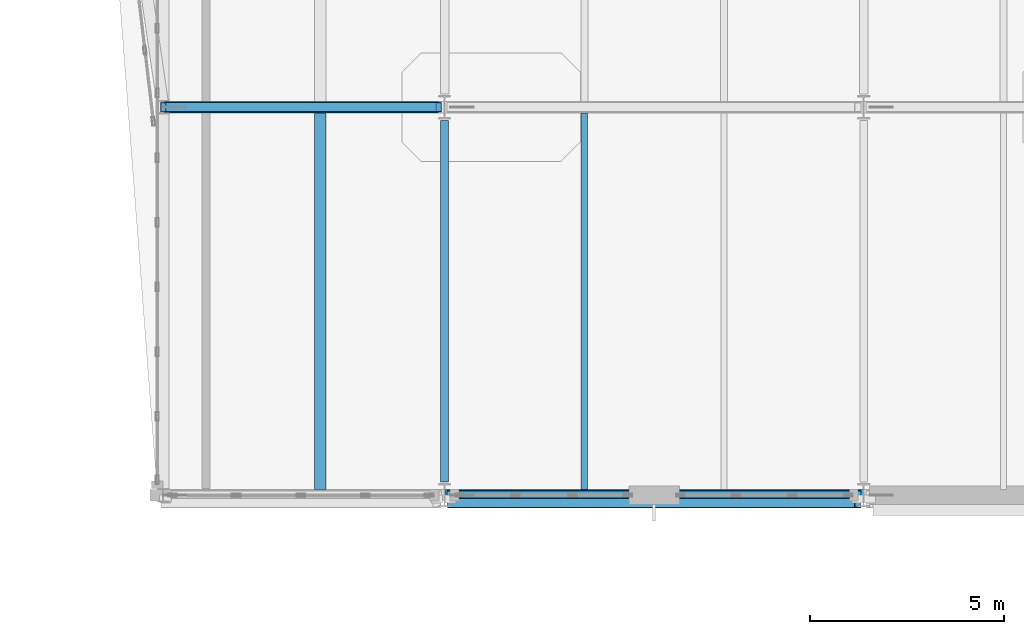
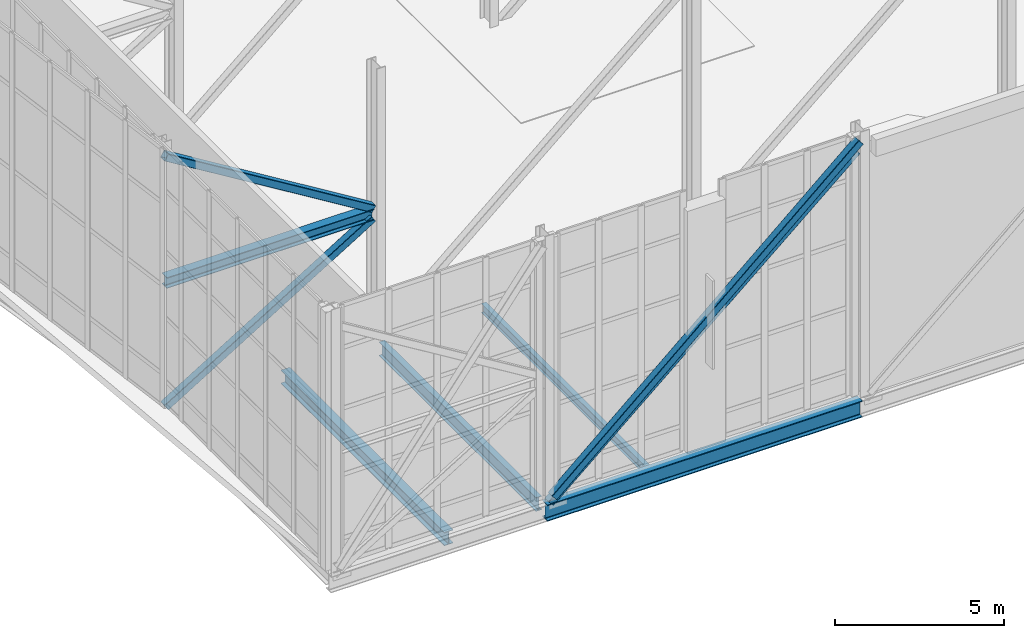
# One storey, part 14 of 100: 5 beams, 4 members.
"""IFC4 building model written with IfcOpenShell, lengths in metres."""

from ifc_helpers import new_model, si_unit, direction, frame, origin, origin_2d, place, context, subcontext, project, spatial, hollow_rectangle, i_section, extrude, material, material_profile, profile_set, type_object, element, save


model = new_model("IFC4")

# Units and contexts
model_context = context("Model", 3, precision=1e-05, world=origin(), true_north=direction((0.0, 1.0)))
body_context = subcontext(model_context, "Body", "Model", "MODEL_VIEW")
ifc_project = project(units=[si_unit("LENGTHUNIT", "METRE"), si_unit("AREAUNIT", "SQUARE_METRE"), si_unit("VOLUMEUNIT", "CUBIC_METRE"), si_unit("PLANEANGLEUNIT", "RADIAN"), si_unit("MASSUNIT", "GRAM", prefix="KILO")], contexts=[model_context])

# Site, building, storey
site_placement = place(None, origin())
site = spatial("IfcSite", under=ifc_project, at=site_placement, CompositionType="ELEMENT")
building_placement = place(site_placement, origin())
building = spatial("IfcBuilding", under=site, at=building_placement, Name="Tasgan Crest Museum", CompositionType="ELEMENT")
storey_placement = place(building_placement, frame((0.0, 0.0, 14.39990234375)))
storey = spatial("IfcBuildingStorey", under=building, at=storey_placement, Name="L03", CompositionType="ELEMENT", Elevation=14.39990234375)

# Beams
ifc_material_1 = material(Name="Steel S355K2", Category="steel")
ifc_material_profile_1 = material_profile(ifc_material_1, i_section(OverallWidth=0.300048828125, OverallDepth=0.60009765625, WebThickness=0.015380859375, FlangeThickness=0.030029296875, FilletRadius=0.027099609375, at=origin_2d()), Name="HEB 600")
ifc_profile_set_1 = profile_set([ifc_material_profile_1], Name="Steel S355K2")
beam_type_1 = type_object("IfcBeamType", Name="BM-CANT-G1", PredefinedType="BEAM", material=ifc_profile_set_1)
beam_1_placement = place(storey_placement, frame((10.806396484375, 40.0, -0.559814453125), z_axis=(1.0, 0.0, 0.0), x_axis=(0.0, 1.0, 0.0)))
element("IfcBeam", 1, at=beam_1_placement, inside=storey, type_object=beam_type_1, Name="Transfer back-span girder 1 MID E", PredefinedType="BEAM", context=body_context, shape_type="SweptSolid", body=[
    extrude(i_section(OverallWidth=0.300048828125, OverallDepth=0.60009765625, WebThickness=0.015380859375, FlangeThickness=0.030029296875, FilletRadius=0.027099609375, at=origin_2d()), origin(), (0.0, 0.0, 1.0), 10.787109375),
])
ifc_material_2 = material(Name="Steel S355J2", Category="steel")
ifc_material_profile_2 = material_profile(ifc_material_2, i_section(OverallWidth=0.300048828125, OverallDepth=0.389892578125, WebThickness=0.010986328125, FlangeThickness=0.01904296875, FilletRadius=0.027099609375, at=origin_2d()), Name="HEA 400")
ifc_profile_set_2 = profile_set([ifc_material_profile_2], Name="Steel S355J2")
beam_type_2 = type_object("IfcBeamType", Name="BM-G-HEA400", PredefinedType="BEAM", material=ifc_profile_set_2)
beam_2_placement = place(storey_placement, frame((3.550048828125, 50.0, 4.25), z_axis=(1.0, 0.0, 0.0), x_axis=(0.0, 1.0, 0.0)))
element("IfcBeam", 2, at=beam_2_placement, inside=storey, type_object=beam_type_2, Name="Cantilever mid-height chord F", PredefinedType="BEAM", context=body_context, shape_type="SweptSolid", body=[
    extrude(i_section(OverallWidth=0.300048828125, OverallDepth=0.389892578125, WebThickness=0.010986328125, FlangeThickness=0.01904296875, FilletRadius=0.027099609375, at=origin_2d()), origin(), (0.0, 0.0, 1.0), 7.099853515625),
])
ifc_material_3 = material(Name="Steel S355J2", Category="steel")
ifc_material_profile_3 = material_profile(ifc_material_3, i_section(OverallWidth=0.300048828125, OverallDepth=0.489990234375, WebThickness=0.011962890625, FlangeThickness=0.02294921875, FilletRadius=0.027099609375, at=origin_2d()), Name="HEA 500")
ifc_profile_set_3 = profile_set([ifc_material_profile_3], Name="Steel S355J2")
beam_type_3 = type_object("IfcBeamType", Name="BM-G-HEA500", PredefinedType="BEAM", material=ifc_profile_set_3)
beam_3_placement = place(storey_placement, frame((7.60009765625, 40.14990234375, -0.5048828125), z_axis=(0.0, 1.0, 0.0), x_axis=(-1.0, 0.0, 0.0)))
element("IfcBeam", 3, at=beam_3_placement, inside=storey, type_object=beam_type_3, Name="Cantilever edge beam L03 MID 40-50", PredefinedType="BEAM", context=body_context, shape_type="SweptSolid", body=[
    extrude(i_section(OverallWidth=0.300048828125, OverallDepth=0.489990234375, WebThickness=0.011962890625, FlangeThickness=0.02294921875, FilletRadius=0.027099609375, at=origin_2d()), origin(), (0.0, 0.0, 1.0), 9.7001953125),
])
ifc_material_4 = material(Name="Steel S355J2", Category="steel")
ifc_material_profile_4 = material_profile(ifc_material_4, i_section(OverallWidth=0.199951171875, OverallDepth=0.5, WebThickness=0.01025390625, FlangeThickness=0.01611328125, FilletRadius=0.02099609375, at=origin_2d()), Name="IPE 500")
ifc_profile_set_4 = profile_set([ifc_material_profile_4], Name="Steel S355J2")
beam_type_4 = type_object("IfcBeamType", Name="BM-G-IPE500", PredefinedType="BEAM", material=ifc_profile_set_4)
beam_4_placement = place(storey_placement, frame((10.800048828125, 40.344970703125, -0.510009765625), z_axis=(0.0, 1.0, 0.0), x_axis=(-1.0, 0.0, 0.0)))
element("IfcBeam", 4, at=beam_4_placement, inside=storey, type_object=beam_type_4, Name="Beam L03 2 40.0-50.0", PredefinedType="BEAM", context=body_context, shape_type="SweptSolid", body=[
    extrude(i_section(OverallWidth=0.199951171875, OverallDepth=0.5, WebThickness=0.01025390625, FlangeThickness=0.01611328125, FilletRadius=0.02099609375, at=origin_2d()), origin(), (0.0, 0.0, 1.0), 9.31005859375),
])
ifc_material_5 = material(Name="Steel S355J2", Category="steel")
ifc_material_profile_5 = material_profile(ifc_material_5, i_section(OverallWidth=0.159912109375, OverallDepth=0.330078125, WebThickness=0.007568359375, FlangeThickness=0.011474609375, FilletRadius=0.01806640625, at=origin_2d()), Name="IPE 330")
ifc_profile_set_5 = profile_set([ifc_material_profile_5], Name="Steel S355J2")
beam_type_5 = type_object("IfcBeamType", Name="BM-J-IPE330", PredefinedType="JOIST", material=ifc_profile_set_5)
beam_5_placement = place(storey_placement, frame((14.39990234375, 40.14501953125, -0.4248046875), z_axis=(0.0, 1.0, 0.0), x_axis=(-1.0, 0.0, 0.0)))
element("IfcBeam", 5, at=beam_5_placement, inside=storey, type_object=beam_type_5, Name="Secondary joist L03 X=14.4 Y=40.0-50.0", PredefinedType="JOIST", context=body_context, shape_type="SweptSolid", body=[
    extrude(i_section(OverallWidth=0.159912109375, OverallDepth=0.330078125, WebThickness=0.007568359375, FlangeThickness=0.011474609375, FilletRadius=0.01806640625, at=origin_2d()), origin(), (0.0, 0.0, 1.0), 9.7099609375),
])

# Members
ifc_material_6 = material(Name="Steel S355K2", Category="steel")
ifc_material_profile_6 = material_profile(ifc_material_6, hollow_rectangle(XDim=0.260009765625, YDim=0.260009765625, WallThickness=0.01416015625, InnerFilletRadius=0.01416015625, OuterFilletRadius=0.0283203125, at=origin_2d()), Name="SHS 260x260x14.2")
ifc_profile_set_6 = profile_set([ifc_material_profile_6], Name="Steel S355K2")
member_type = type_object("IfcMemberType", Name="TR-CANT-DIAG", PredefinedType="BRACE", material=ifc_profile_set_6)
member_1_placement = place(storey_placement, frame((10.949951171875, 40.0, -0.27978515625), z_axis=(0.757121387748, 0.0, 0.653274218237), x_axis=(0.0, 1.0, 0.0)))
element("IfcMember", 6, at=member_1_placement, inside=storey, type_object=member_type, Name="Transfer truss diagonal L03 E-2", PredefinedType="BRACE", context=body_context, shape_type="SweptSolid", body=[
    extrude(hollow_rectangle(XDim=0.260009765625, YDim=0.260009765625, WallThickness=0.01416015625, InnerFilletRadius=0.01416015625, OuterFilletRadius=0.0283203125, at=origin_2d()), origin(), (0.0, 0.0, 1.0), 13.868408203125),
])
for number, where, z_axis, x_axis, name in (
    (7, (3.550048828125, 50.0, -0.27978515625), (0.852690578755, 0.0, 0.52241628698), (0.0, 1.0, 0.0), "Transfer truss diagonal L03 lower F"),
    (8, (10.64990234375, 50.0, 4.43017578125), (-0.852690578755, 0.0, 0.52241628698), (0.0, -1.0, 0.0), "Transfer truss diagonal L03 upper F"),
):
    element("IfcMember", number, at=place(storey_placement, frame(where, z_axis=z_axis, x_axis=x_axis)), inside=storey, type_object=member_type, Name=name, PredefinedType="BRACE", context=body_context, shape_type="SweptSolid", body=[
        extrude(hollow_rectangle(XDim=0.260009765625, YDim=0.260009765625, WallThickness=0.01416015625, InnerFilletRadius=0.01416015625, OuterFilletRadius=0.0283203125, at=origin_2d()), origin(), (0.0, 0.0, 1.0), 8.326416015625),
    ])
member_2_placement = place(storey_placement, frame((10.949951171875, 39.800048828125, 0.050048828125), z_axis=(0.752134521341, 0.0, 0.659009606764), x_axis=(0.0, 1.0, 0.0)))
element("IfcMember", 9, at=member_2_placement, inside=storey, type_object=member_type, Name="Exposed transfer truss diagonal S4", PredefinedType="BRACE", context=body_context, shape_type="SweptSolid", body=[
    extrude(hollow_rectangle(XDim=0.260009765625, YDim=0.260009765625, WallThickness=0.01416015625, InnerFilletRadius=0.01416015625, OuterFilletRadius=0.0283203125, at=origin_2d()), origin(), (0.0, 0.0, 1.0), 13.960205078125),
])

save(model, "model.ifc")
